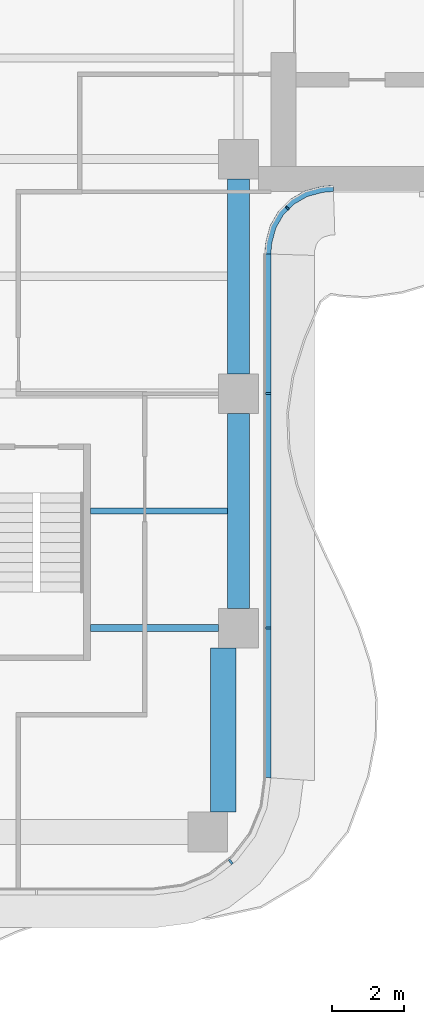
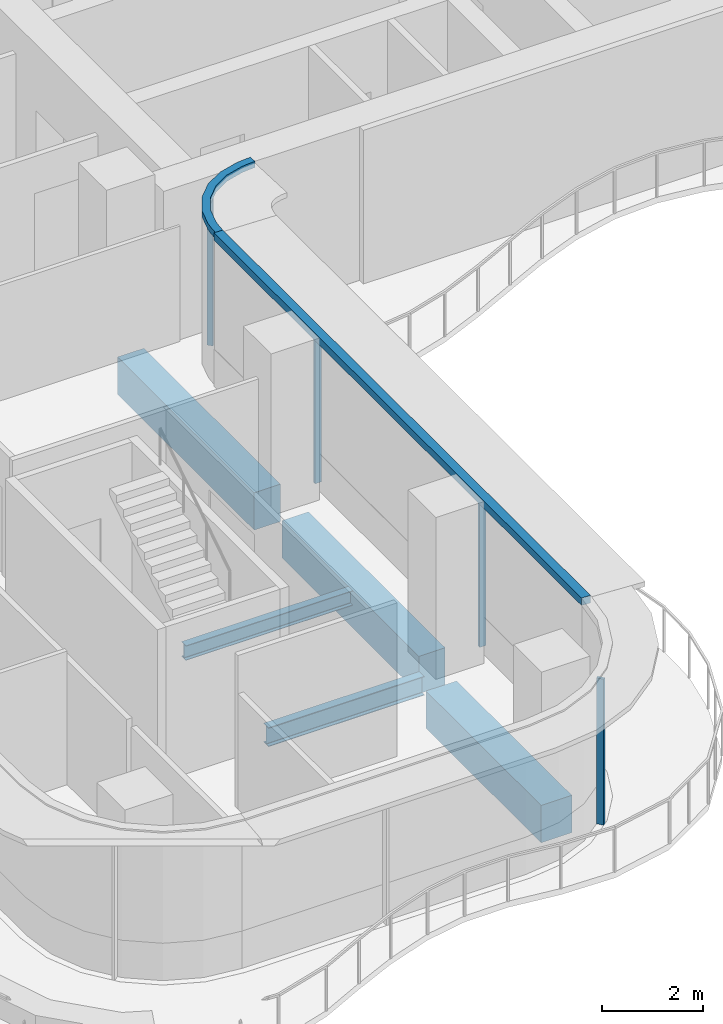
# One storey, part 5 of 17: 6 members, 5 beams, 3 elements without a shape of their own.
"""IFC4 building model written with IfcOpenShell, lengths in metres."""

from ifc_helpers import new_model, si_unit, direction, frame, origin, origin_2d, place, context, subcontext, project, spatial, polyline, rectangle, i_section, outline, extrude, source, transform, mapped, material, layer, layer_set, material_profile, profile_set, type_object, element, aggregate, save


model = new_model("IFC4")

# Units and contexts
model_context = context("Model", 3, precision=1e-05, world=origin(), true_north=direction((0.0, 1.0)))
body_context = subcontext(model_context, "Body", "Model", "MODEL_VIEW")
ifc_project = project(units=[si_unit("LENGTHUNIT", "METRE"), si_unit("AREAUNIT", "SQUARE_METRE"), si_unit("VOLUMEUNIT", "CUBIC_METRE"), si_unit("PLANEANGLEUNIT", "RADIAN"), si_unit("MASSUNIT", "GRAM", prefix="KILO")], contexts=[model_context])

# Site, building, storey
site_placement = place(None, origin())
site = spatial("IfcSite", under=ifc_project, at=site_placement, CompositionType="ELEMENT")
building_placement = place(site_placement, origin())
building = spatial("IfcBuilding", under=site, at=building_placement, Name="Trellis Farm Tower", CompositionType="ELEMENT")
storey_placement = place(building_placement, frame((0.0, 0.0, 232.39990234375)))
storey = spatial("IfcBuildingStorey", under=building, at=storey_placement, Name="L51", CompositionType="ELEMENT", Elevation=232.39990234375)

# Curtain wall, member
ifc_material_1 = material(Name="Aluminium and glass curtain wall", Category="aluminium")
ifc_layer_1 = layer(ifc_material_1, 0.18994140625)
ifc_layer_set_1 = layer_set([ifc_layer_1], Name="RIBBON CURTAIN WALL CW1")
curtain_wall_type_1 = type_object("IfcCurtainWallType", Name="RIBBON CURTAIN WALL CW1", PredefinedType="NOTDEFINED", material=ifc_layer_set_1)
placement = place(storey_placement, origin())
curtain_wall_1 = element("IfcCurtainWall", 1, at=placement, inside=storey, type_object=curtain_wall_type_1, Name="CW1 004", PredefinedType="NOTDEFINED")
ifc_material_2 = material(Name="Aluminium extrusion 6063-T6", Category="aluminium")
ifc_layer_2 = layer(ifc_material_2, 0.199951171875)
ifc_layer_set_2 = layer_set([ifc_layer_2], Name="Aluminium extrusion 6063-T6")
member_type_1 = type_object("IfcMemberType", Name="CW1 TRANSOM 200x180", PredefinedType="USERDEFINED", material=ifc_layer_set_2)
member_1_placement = place(storey_placement, frame((0.0, 0.0, 3.52001953125)))
member_1 = element("IfcMember", 2, at=member_1_placement, type_object=member_type_1, Name="TR1 004", ObjectType="TRANSOM", PredefinedType="USERDEFINED", context=body_context, shape_type="SweptSolid", body=[
    extrude(outline(polyline([(6.5, -22.75), (6.5, -8.2314453125), (6.300048828125, -8.224853515625), (6.300048828125, -22.73681640625), (6.5, -22.75)])), origin(), (0.0, 0.0, 1.0), 0.18017578125),
])

# Beams
ifc_material_3 = material(Name="Steel S355", Category="steel")
ifc_material_profile_1 = material_profile(ifc_material_3, i_section(OverallWidth=0.17138671875, OverallDepth=0.35498046875, WebThickness=0.00732421875, FlangeThickness=0.011474609375, FilletRadius=0.01025390625, at=origin_2d()), Name="UB 356x171x51")
ifc_profile_set_1 = profile_set([ifc_material_profile_1], Name="Steel S355")
beam_type_1 = type_object("IfcBeamType", Name="UB 356x171x51 joist", PredefinedType="JOIST", material=ifc_profile_set_1)
shared_shape_1 = source(origin(), body_context, "Body", "SweptSolid", [
    extrude(i_section(OverallWidth=0.17138671875, OverallDepth=0.35498046875, WebThickness=0.00732421875, FlangeThickness=0.011474609375, FilletRadius=0.01025390625, at=origin_2d()), origin(), (0.0, 0.0, 1.0), 3.800048828125),
])
beam_1_placement = place(storey_placement, frame((1.5, -15.35009765625, -0.37744140625), z_axis=(1.0, 0.0, 0.0), x_axis=(0.0, 1.0, 0.0)))
element("IfcBeam", 3, at=beam_1_placement, inside=storey, type_object=beam_type_1, Name="Floor beam", PredefinedType="JOIST", context=body_context, shape_type="MappedRepresentation", body=[
    mapped(shared_shape_1, transform((0.0, 0.0, 0.0))),
])
ifc_material_profile_2 = material_profile(ifc_material_3, i_section(OverallWidth=0.1904296875, OverallDepth=0.45703125, WebThickness=0.009033203125, FlangeThickness=0.014404296875, FilletRadius=0.01025390625, at=origin_2d()), Name="UB 457x191x74")
ifc_profile_set_2 = profile_set([ifc_material_profile_2], Name="Steel S355")
beam_type_2 = type_object("IfcBeamType", Name="UB 457x191x74", PredefinedType="BEAM", material=ifc_profile_set_2)
shared_shape_2 = source(origin(), body_context, "Body", "SweptSolid", [
    extrude(i_section(OverallWidth=0.1904296875, OverallDepth=0.45703125, WebThickness=0.009033203125, FlangeThickness=0.014404296875, FilletRadius=0.01025390625, at=origin_2d()), origin(), (0.0, 0.0, 1.0), 3.550048828125),
])
beam_2_placement = place(storey_placement, frame((1.5, -18.60009765625, -0.428466796875), z_axis=(1.0, 0.0, 0.0), x_axis=(0.0, 1.0, 0.0)))
element("IfcBeam", 4, at=beam_2_placement, inside=storey, type_object=beam_type_2, Name="Girder", PredefinedType="BEAM", context=body_context, shape_type="MappedRepresentation", body=[
    mapped(shared_shape_2, transform((0.0, 0.0, 0.0))),
])
ifc_material_4 = material(Name="Concrete C60/75", Category="concrete")
ifc_material_profile_3 = material_profile(ifc_material_4, rectangle(XDim=0.60009765625, YDim=0.89990234375, at=origin_2d()), Name="RC spandrel beam 600x900 C60/75")
ifc_profile_set_3 = profile_set([ifc_material_profile_3], Name="Concrete C60/75")
beam_type_3 = type_object("IfcBeamType", Name="RC spandrel beam 600x900 C60/75", PredefinedType="SPANDREL", material=ifc_profile_set_3)
shared_shape_3 = source(origin(), body_context, "Body", "SweptSolid", [
    extrude(rectangle(XDim=0.60009765625, YDim=0.89990234375, at=origin_2d()), origin(), (0.0, 0.0, 1.0), 5.400146484375),
])
for number, where, z_axis, x_axis, name in (
    (5, (5.60009765625, -18.050048828125, -0.64990234375), (0.0, 1.0, 0.0), (-1.0, 0.0, 0.0), "Girder"),
    (6, (5.60009765625, -11.550048828125, -0.64990234375), (0.0, 1.0, 0.0), (-1.0, 0.0, 0.0), "Girder"),
):
    element("IfcBeam", number, at=place(storey_placement, frame(where, z_axis=z_axis, x_axis=x_axis)), inside=storey, type_object=beam_type_3, Name=name, PredefinedType="SPANDREL", context=body_context, shape_type="MappedRepresentation", body=[
        mapped(shared_shape_3, transform((0.0, 0.0, 0.0))),
    ])
ifc_material_profile_4 = material_profile(ifc_material_4, rectangle(XDim=0.699951171875, YDim=0.89990234375, at=origin_2d()), Name="RC spandrel beam 700x900 C60/75")
ifc_profile_set_4 = profile_set([ifc_material_profile_4], Name="Concrete C60/75")
beam_type_4 = type_object("IfcBeamType", Name="RC spandrel beam 700x900 C60/75", PredefinedType="SPANDREL", material=ifc_profile_set_4)
shared_shape_4 = source(origin(), body_context, "Body", "SweptSolid", [
    extrude(rectangle(XDim=0.699951171875, YDim=0.89990234375, at=origin_2d()), origin(), (0.0, 0.0, 1.0), 4.550048828125),
])
beam_3_placement = place(storey_placement, frame((5.175048828125, -23.699951171875, -0.64990234375), z_axis=(0.0, 1.0, 0.0), x_axis=(-1.0, 0.0, 0.0)))
element("IfcBeam", 7, at=beam_3_placement, inside=storey, type_object=beam_type_4, Name="Girder", PredefinedType="SPANDREL", context=body_context, shape_type="MappedRepresentation", body=[
    mapped(shared_shape_4, transform((0.0, 0.0, 0.0))),
])

# Curtain wall, member
curtain_wall_2 = element("IfcCurtainWall", 8, at=placement, inside=storey, type_object=curtain_wall_type_1, Name="CW1 003", PredefinedType="NOTDEFINED")
ifc_material_profile_5 = material_profile(ifc_material_2, rectangle(XDim=0.06005859375, YDim=0.14990234375, at=origin_2d()), Name="MULLION 60x150")
ifc_profile_set_5 = profile_set([ifc_material_profile_5], Name="Aluminium extrusion 6063-T6")
member_type_2 = type_object("IfcMemberType", Name="CW1 MULLION 60x150", PredefinedType="MULLION", material=ifc_profile_set_5)
shared_shape_5 = source(origin(), body_context, "Body", "SweptSolid", [
    extrude(rectangle(XDim=0.06005859375, YDim=0.14990234375, at=origin_2d()), origin(), (0.0, 0.0, 1.0), 3.52001953125),
])
member_2_placement = place(storey_placement, frame((5.385498046875, -25.078369140625, 0.0), z_axis=(0.0, 0.0, 1.0), x_axis=(0.793353340291, 0.608761429009, 0.0)))
member_2 = element("IfcMember", 9, at=member_2_placement, type_object=member_type_2, Name="MU1 003-02", PredefinedType="MULLION", context=body_context, shape_type="MappedRepresentation", body=[
    mapped(shared_shape_5, transform((0.0, 0.0, 0.0))),
])
aggregate(curtain_wall_2, [member_2])

# Member
member_3_placement = place(storey_placement, frame((6.425048828125, -18.60009765625, 0.0), z_axis=(0.0, 0.0, 1.0), x_axis=(0.0, 1.0, 0.0)))
member_3 = element("IfcMember", 10, at=member_3_placement, type_object=member_type_2, Name="MU1 004-01", PredefinedType="MULLION", context=body_context, shape_type="MappedRepresentation", body=[
    mapped(shared_shape_5, transform((0.0, 0.0, 0.0))),
])

member_4_placement = place(storey_placement, frame((6.425048828125, -12.10009765625, 0.0), z_axis=(0.0, 0.0, 1.0), x_axis=(0.0, 1.0, 0.0)))
member_4 = element("IfcMember", 11, at=member_4_placement, type_object=member_type_2, Name="MU1 004-02", PredefinedType="MULLION", context=body_context, shape_type="MappedRepresentation", body=[
    mapped(shared_shape_5, transform((0.0, 0.0, 0.0))),
])

aggregate(curtain_wall_1, [member_3, member_4, member_1])

# Curtain wall, members
ifc_layer_3 = layer(ifc_material_1, 0.166015625)
ifc_layer_set_3 = layer_set([ifc_layer_3], Name="WINTER GARDEN CURTAIN WALL CW3")
curtain_wall_type_2 = type_object("IfcCurtainWallType", Name="WINTER GARDEN CURTAIN WALL CW3", PredefinedType="NOTDEFINED", material=ifc_layer_set_3)
curtain_wall_3 = element("IfcCurtainWall", 12, at=placement, inside=storey, type_object=curtain_wall_type_2, Name="CW3 002", PredefinedType="NOTDEFINED")
ifc_material_profile_6 = material_profile(ifc_material_2, rectangle(XDim=0.050048828125, YDim=0.1201171875, at=origin_2d()), Name="MULLION 50x120")
ifc_profile_set_6 = profile_set([ifc_material_profile_6], Name="Aluminium extrusion 6063-T6")
member_type_3 = type_object("IfcMemberType", Name="CW3 MULLION 50x120", PredefinedType="MULLION", material=ifc_profile_set_6)
shared_shape_6 = source(origin(), body_context, "Body", "SweptSolid", [
    extrude(rectangle(XDim=0.050048828125, YDim=0.1201171875, at=origin_2d()), origin(), (0.0, 0.0, 1.0), 3.550048828125),
])
member_5_placement = place(storey_placement, frame((6.953125, -6.953125, 0.0), z_axis=(0.0, 0.0, 1.0), x_axis=(0.707106781187, 0.707106781187, 0.0)))
member_5 = element("IfcMember", 13, at=member_5_placement, type_object=member_type_3, Name="MU3 002-01", PredefinedType="MULLION", context=body_context, shape_type="MappedRepresentation", body=[
    mapped(shared_shape_6, transform((0.0, 0.0, 0.0))),
])
ifc_layer_4 = layer(ifc_material_2, 0.169921875)
ifc_layer_set_4 = layer_set([ifc_layer_4], Name="Aluminium extrusion 6063-T6")
member_type_4 = type_object("IfcMemberType", Name="CW3 TRANSOM 170x150", PredefinedType="USERDEFINED", material=ifc_layer_set_4)
shared_shape_7 = source(origin(), body_context, "Body", "SweptSolid", [
    extrude(outline(polyline([(6.5, -8.2314453125), (6.513916015625, -8.01953125), (6.527587890625, -7.91552734375), (6.63671875, -7.508544921875), (6.846923828125, -7.144287109375), (7.144287109375, -6.846923828125), (7.508544921875, -6.63671875), (7.91552734375, -6.527587890625), (8.01953125, -6.513916015625), (8.2314453125, -6.5), (8.225830078125, -6.330078125), (8.0029296875, -6.3447265625), (7.88232421875, -6.360595703125), (7.44287109375, -6.478271484375), (7.0400390625, -6.7109375), (6.7109375, -7.0400390625), (6.478271484375, -7.44287109375), (6.360595703125, -7.88232421875), (6.3447265625, -8.0029296875), (6.330078125, -8.225830078125), (6.5, -8.2314453125)])), origin(), (0.0, 0.0, 1.0), 0.150146484375),
])
member_6_placement = place(storey_placement, frame((0.0, 0.0, 3.550048828125)))
member_6 = element("IfcMember", 14, at=member_6_placement, type_object=member_type_4, Name="TR3 002", ObjectType="TRANSOM", PredefinedType="USERDEFINED", context=body_context, shape_type="MappedRepresentation", body=[
    mapped(shared_shape_7, transform((0.0, 0.0, 0.0))),
])
aggregate(curtain_wall_3, [member_5, member_6])

save(model, "model.ifc")
